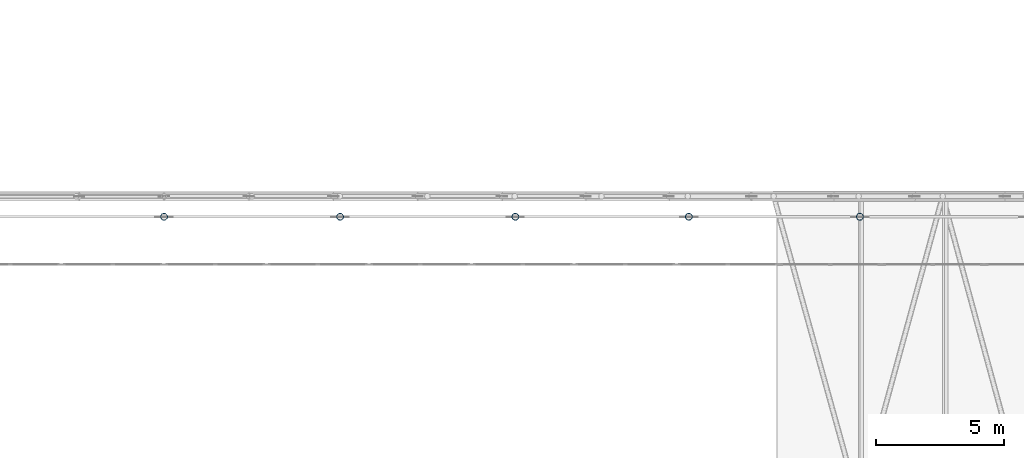
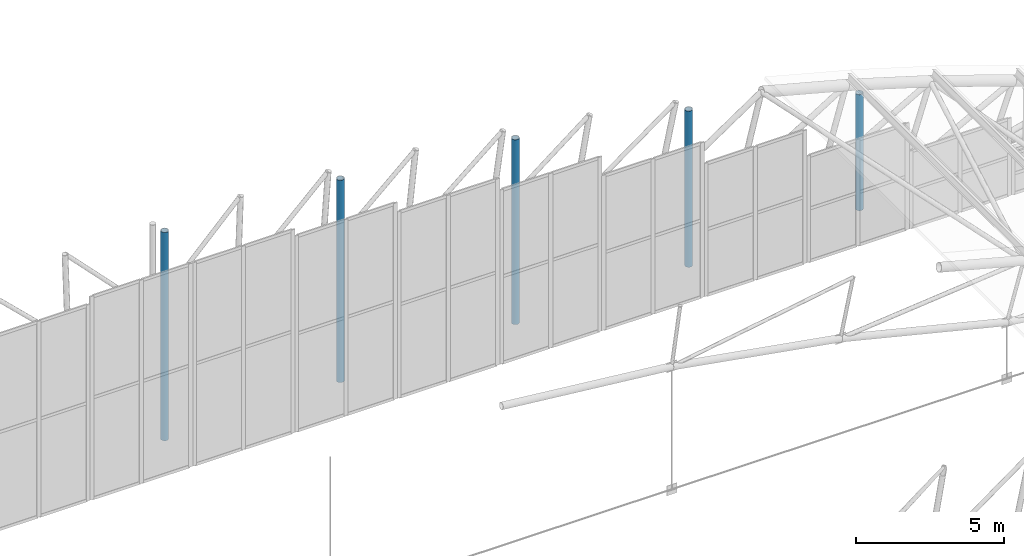
# One storey, part 8 of 321: 5 columns.
"""IFC4 building model written with IfcOpenShell, lengths in metres."""

from ifc_helpers import new_model, si_unit, direction, frame, origin, origin_2d, place, context, subcontext, project, spatial, hollow_circle, extrude, material, material_profile, profile_set, type_object, element, save


model = new_model("IFC4")

# Units and contexts
model_context = context("Model", 3, precision=1e-05, world=origin(), true_north=direction((0.0, 1.0)))
body_context = subcontext(model_context, "Body", "Model", "MODEL_VIEW")
ifc_project = project(units=[si_unit("LENGTHUNIT", "METRE"), si_unit("AREAUNIT", "SQUARE_METRE"), si_unit("VOLUMEUNIT", "CUBIC_METRE"), si_unit("PLANEANGLEUNIT", "RADIAN"), si_unit("MASSUNIT", "GRAM", prefix="KILO")], contexts=[model_context])

# Site, building, storey
site_placement = place(None, origin())
site = spatial("IfcSite", under=ifc_project, at=site_placement, CompositionType="ELEMENT")
building_placement = place(site_placement, origin())
building = spatial("IfcBuilding", under=site, at=building_placement, Name="Ravi Spectrum Wholesale Market", CompositionType="ELEMENT")
storey_placement = place(building_placement, frame((0.0, 0.0, 10.800048828125)))
storey = spatial("IfcBuildingStorey", under=building, at=storey_placement, Name="L02", CompositionType="ELEMENT", Elevation=10.800048828125)

# Columns
ifc_material = material(Name="Steel S355", Category="steel")
ifc_material_profile = material_profile(ifc_material, hollow_circle(Radius=0.136474609375, WallThickness=0.010009765625, at=origin_2d()))
ifc_profile_set = profile_set([ifc_material_profile], Name="Steel S355")
column_type = type_object("IfcColumnType", Name="CHS 273x10 column", PredefinedType="COLUMN", material=ifc_profile_set)
column_1_placement = place(storey_placement, frame((70.0, 197.199951171875, 0.0), z_axis=(0.0, 0.0, 1.0), x_axis=(1.0, 0.0, 0.0)))
element("IfcColumn", 1, at=column_1_placement, inside=storey, type_object=column_type, Name="H1-COL-L02-006", PredefinedType="COLUMN", context=body_context, shape_type="SweptSolid", body=[
    extrude(hollow_circle(Radius=0.136474609375, WallThickness=0.010009765625, at=origin_2d()), origin(), (0.0, 0.0, 1.0), 8.603271484375),
])
column_2_placement = place(storey_placement, frame((76.86962890625, 197.199951171875, 0.0), z_axis=(0.0, 0.0, 1.0), x_axis=(1.0, 0.0, 0.0)))
element("IfcColumn", 2, at=column_2_placement, inside=storey, type_object=column_type, Name="H1-COL-L02-007", PredefinedType="COLUMN", context=body_context, shape_type="SweptSolid", body=[
    extrude(hollow_circle(Radius=0.136474609375, WallThickness=0.010009765625, at=origin_2d()), origin(), (0.0, 0.0, 1.0), 8.356689453125),
])
column_3_placement = place(storey_placement, frame((83.706298828125, 197.199951171875, 0.0), z_axis=(0.0, 0.0, 1.0), x_axis=(1.0, 0.0, 0.0)))
element("IfcColumn", 3, at=column_3_placement, inside=storey, type_object=column_type, Name="H1-COL-L02-008", PredefinedType="COLUMN", context=body_context, shape_type="SweptSolid", body=[
    extrude(hollow_circle(Radius=0.136474609375, WallThickness=0.010009765625, at=origin_2d()), origin(), (0.0, 0.0, 1.0), 7.636962890625),
])
column_4_placement = place(storey_placement, frame((90.47802734375, 197.199951171875, 0.0), z_axis=(0.0, 0.0, 1.0), x_axis=(1.0, 0.0, 0.0)))
element("IfcColumn", 4, at=column_4_placement, inside=storey, type_object=column_type, Name="H1-COL-L02-009", PredefinedType="COLUMN", context=body_context, shape_type="SweptSolid", body=[
    extrude(hollow_circle(Radius=0.136474609375, WallThickness=0.010009765625, at=origin_2d()), origin(), (0.0, 0.0, 1.0), 6.447509765625),
])
column_5_placement = place(storey_placement, frame((97.152099609375, 197.199951171875, 0.0), z_axis=(0.0, 0.0, 1.0), x_axis=(1.0, 0.0, 0.0)))
element("IfcColumn", 5, at=column_5_placement, inside=storey, type_object=column_type, Name="H1-COL-L02-010", PredefinedType="COLUMN", context=body_context, shape_type="SweptSolid", body=[
    extrude(hollow_circle(Radius=0.136474609375, WallThickness=0.010009765625, at=origin_2d()), origin(), (0.0, 0.0, 1.0), 4.793701171875),
])

save(model, "model.ifc")
